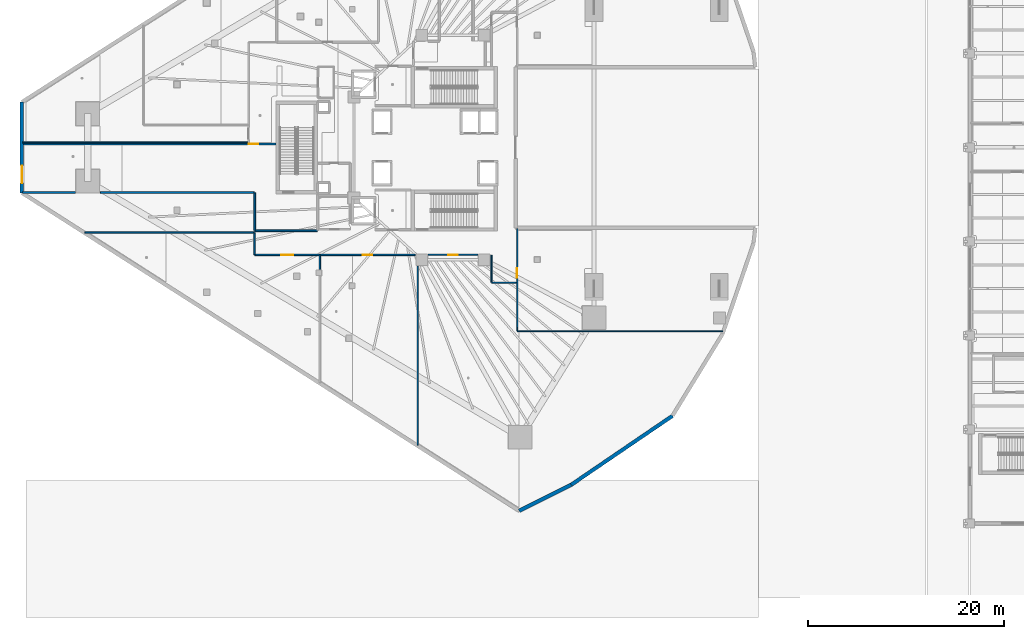
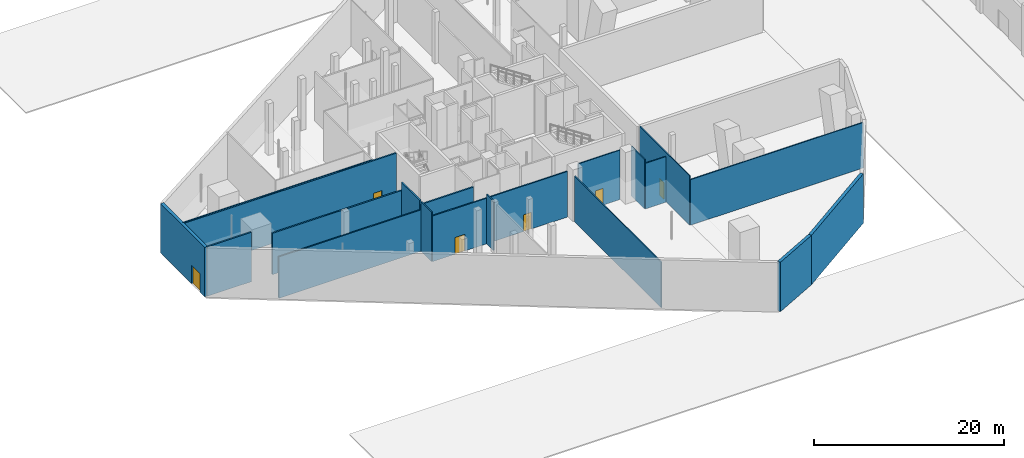
# One storey, part 26 of 45: 20 walls, 6 doors, 6 openings.
"""IFC4 building model written with IfcOpenShell, lengths in metres."""

from ifc_helpers import new_model, si_unit, direction, frame, frame_2d, origin, place, context, subcontext, project, spatial, rectangle, extrude, material, layer, layer_set, type_object, element, fill, save


model = new_model("IFC4")

# Units and contexts
model_context = context("Model", 3, precision=1e-05, world=origin(), true_north=direction((0.0, 1.0)))
body_context = subcontext(model_context, "Body", "Model", "MODEL_VIEW")
ifc_project = project(units=[si_unit("LENGTHUNIT", "METRE"), si_unit("AREAUNIT", "SQUARE_METRE"), si_unit("VOLUMEUNIT", "CUBIC_METRE"), si_unit("PLANEANGLEUNIT", "RADIAN"), si_unit("MASSUNIT", "GRAM", prefix="KILO")], contexts=[model_context])

# Site, building, storey
site_placement = place(None, origin())
site = spatial("IfcSite", under=ifc_project, at=site_placement, CompositionType="ELEMENT")
building_placement = place(site_placement, origin())
building = spatial("IfcBuilding", under=site, at=building_placement, Name="Qorvath Tower", CompositionType="ELEMENT")
storey_placement = place(building_placement, origin())
storey = spatial("IfcBuildingStorey", under=building, at=storey_placement, Name="L00", CompositionType="ELEMENT", Elevation=0.0)

# Wall
ifc_material_1 = material(Name="Gypsum shaftliner on steel studs", Category="steel")
ifc_layer_1 = layer(ifc_material_1, 0.179931640625)
ifc_layer_set_1 = layer_set([ifc_layer_1], Name="FW-LOBBY")
wall_type_1 = type_object("IfcWallType", Name="FW-LOBBY", PredefinedType="PARTITIONING", material=ifc_layer_set_1)
wall_1_placement = place(storey_placement, frame((-40.625, -8.5, 0.0), z_axis=(0.0, 0.0, 1.0), x_axis=(1.0, 0.0, 0.0)))
element("IfcWall", 1, at=wall_1_placement, inside=storey, type_object=wall_type_1, Name="Interior Partition IW-T1-L00-001", PredefinedType="PARTITIONING", context=body_context, shape_type="SweptSolid", body=[
    extrude(rectangle(XDim=6.3798828125, YDim=0.179931640625, at=frame_2d((3.18994140625, 0.0))), origin(), (0.0, 0.0, 1.0), 5.85302734375),
])

# Wall, opening, door
wall_2_placement = place(storey_placement, frame((-38.492919921875, 0.35009765625, 0.0), z_axis=(0.0, 0.0, 1.0), x_axis=(-1.0, 0.0, 0.0)))
wall_2 = element("IfcWall", 2, at=wall_2_placement, inside=storey, type_object=wall_type_1, Name="Interior Partition IW-T1-L00-003", PredefinedType="PARTITIONING", context=body_context, shape_type="SweptSolid", body=[
    extrude(rectangle(XDim=25.84619140625, YDim=0.179931640625, at=frame_2d((12.923095703125, 0.0))), origin(), (0.0, 0.0, 1.0), 6.340087890625),
])
opening_1_placement = place(wall_2_placement, frame((1.774658203125, 0.0, 0.0)))
opening_1 = element("IfcOpeningElement", 3, at=opening_1_placement, cuts=wall_2, Name="Opening D-T1-L00-01", PredefinedType="OPENING", context=body_context, shape_type="SweptSolid", body=[
    extrude(rectangle(XDim=1.0, YDim=2.14990234375, at=frame_2d((0.5, 1.074951171875))), frame((0.0, 0.10009765625, 0.0), z_axis=(0.0, -1.0, 0.0), x_axis=(1.0, 0.0, 0.0)), (0.0, 0.0, 1.0), 0.199951171875),
])
ifc_material_2 = material(Name="Painted galvanised hollow metal", Category="steel")
door_type_1 = type_object("IfcDoorType", Name="FD-90B", OperationType="NOTDEFINED", PredefinedType="DOOR", material=ifc_material_2)
door_1_placement = place(opening_1_placement, origin())
door_1 = element("IfcDoor", 4, at=door_1_placement, inside=storey, type_object=door_type_1, Name="Corridor West Stair Exit Passageway Door D-T1-L00-01", OperationType="SINGLE_SWING_LEFT", OverallHeight=2.14990234375, OverallWidth=1.0, PredefinedType="DOOR", context=body_context, shape_type="SweptSolid", body=[
    extrude(rectangle(XDim=1.0, YDim=2.14990234375, at=frame_2d((0.5, 1.074951171875))), frame((0.0, 0.02490234375, 0.0), z_axis=(0.0, -1.0, 0.0), x_axis=(1.0, 0.0, 0.0)), (0.0, 0.0, 1.0), 0.050048828125),
])
fill(opening_1, door_1)

# Walls
wall_3_placement = place(storey_placement, frame((-64.339111328125, -4.60009765625, 0.0), z_axis=(0.0, 0.0, 1.0), x_axis=(1.0, 0.0, 0.0)))
element("IfcWall", 5, at=wall_3_placement, inside=storey, type_object=wall_type_1, Name="Interior Partition IW-T1-L00-004", PredefinedType="PARTITIONING", context=body_context, shape_type="SweptSolid", body=[
    extrude(rectangle(XDim=5.39404296875, YDim=0.179931640625, at=frame_2d((2.697021484375, 0.0))), origin(), (0.0, 0.0, 1.0), 6.340087890625),
])
wall_4_placement = place(storey_placement, frame((-56.4150390625, -4.60009765625, 0.0), z_axis=(0.0, 0.0, 1.0), x_axis=(1.0, 0.0, 0.0)))
element("IfcWall", 6, at=wall_4_placement, inside=storey, type_object=wall_type_1, Name="Interior Partition IW-T1-L00-005", PredefinedType="PARTITIONING", context=body_context, shape_type="SweptSolid", body=[
    extrude(rectangle(XDim=15.740234375, YDim=0.179931640625, at=frame_2d((7.8701171875, 0.0))), origin(), (0.0, 0.0, 1.0), 5.31005859375),
])
wall_5_placement = place(storey_placement, frame((-40.64990234375, -8.47509765625, 0.0), z_axis=(0.0, 0.0, 1.0), x_axis=(0.0, 1.0, 0.0)))
element("IfcWall", 7, at=wall_5_placement, inside=storey, type_object=wall_type_1, Name="Interior Partition IW-T1-L00-006", PredefinedType="PARTITIONING", context=body_context, shape_type="SweptSolid", body=[
    extrude(rectangle(XDim=3.85009765625, YDim=0.179931640625, at=frame_2d((1.925048828125, 0.0))), origin(), (0.0, 0.0, 1.0), 6.340087890625),
])

# Wall, opening, door
ifc_material_3 = material(Name="Double acoustic gypsum board on steel studs", Category="steel")
ifc_layer_2 = layer(ifc_material_3, 0.159912109375)
ifc_layer_set_2 = layer_set([ifc_layer_2], Name="IW-ACOUSTIC-160")
wall_type_2 = type_object("IfcWallType", Name="IW-ACOUSTIC-160", PredefinedType="PARTITIONING", material=ifc_layer_set_2)
wall_6_placement = place(storey_placement, frame((-34.02490234375, -10.9580078125, 0.0), z_axis=(0.0, 0.0, 1.0), x_axis=(-1.0, 0.0, 0.0)))
wall_6 = element("IfcWall", 8, at=wall_6_placement, inside=storey, type_object=wall_type_2, Name="Interior Partition IW-T1-L00-025", PredefinedType="PARTITIONING", context=body_context, shape_type="SweptSolid", body=[
    extrude(rectangle(XDim=6.608154296875, YDim=0.159912109375, at=frame_2d((3.30419921875, 0.0))), origin(), (0.0, 0.0, 1.0), 5.85302734375),
])
opening_2_placement = place(wall_6_placement, frame((2.7041015625, 0.0, 0.0)))
opening_2 = element("IfcOpeningElement", 9, at=opening_2_placement, cuts=wall_6, Name="Opening D-T1-L00-04", PredefinedType="OPENING", context=body_context, shape_type="SweptSolid", body=[
    extrude(rectangle(XDim=1.199951171875, YDim=2.14990234375, at=frame_2d((0.60009765625, 1.074951171875))), frame((0.0, 0.08984375, 0.0), z_axis=(0.0, -1.0, 0.0), x_axis=(1.0, 0.0, 0.0)), (0.0, 0.0, 1.0), 0.179931640625),
])
ifc_material_4 = material(Name="Painted hollow steel utility leaf", Category="steel")
door_type_2 = type_object("IfcDoorType", Name="D-05", OperationType="NOTDEFINED", PredefinedType="DOOR", material=ifc_material_4)
door_2_placement = place(opening_2_placement, origin())
door_2 = element("IfcDoor", 10, at=door_2_placement, inside=storey, type_object=door_type_2, Name="Store Loading and Refuse Bay Door D-T1-L00-04", OperationType="SINGLE_SWING_RIGHT", OverallHeight=2.14990234375, OverallWidth=1.199951171875, PredefinedType="DOOR", context=body_context, shape_type="SweptSolid", body=[
    extrude(rectangle(XDim=1.199951171875, YDim=2.14990234375, at=frame_2d((0.60009765625, 1.074951171875))), frame((0.0, 0.02490234375, 0.0), z_axis=(0.0, -1.0, 0.0), x_axis=(1.0, 0.0, 0.0)), (0.0, 0.0, 1.0), 0.050048828125),
])
fill(opening_2, door_2)

# Walls
wall_7_placement = place(storey_placement, frame((-40.657958984375, -10.93310546875, 0.0), z_axis=(0.0, 0.0, 1.0), x_axis=(0.0, 1.0, 0.0)))
element("IfcWall", 11, at=wall_7_placement, inside=storey, type_object=wall_type_2, Name="Interior Partition IW-T1-L00-026", PredefinedType="PARTITIONING", context=body_context, shape_type="SweptSolid", body=[
    extrude(rectangle(XDim=2.2080078125, YDim=0.159912109375, at=frame_2d((1.10400390625, 0.0))), origin(), (0.0, 0.0, 1.0), 6.340087890625),
])
wall_8_placement = place(storey_placement, frame((-40.68310546875, -8.699951171875, 0.0), z_axis=(0.0, 0.0, 1.0), x_axis=(-1.0, 0.0, 0.0)))
element("IfcWall", 12, at=wall_8_placement, inside=storey, type_object=wall_type_2, Name="Interior Partition IW-T1-L00-027", PredefinedType="PARTITIONING", context=body_context, shape_type="SweptSolid", body=[
    extrude(rectangle(XDim=17.298828125, YDim=0.159912109375, at=frame_2d((8.6494140625, 0.0))), origin(), (0.0, 0.0, 1.0), 5.31005859375),
])
wall_9_placement = place(storey_placement, frame((-34.0, -12.452392578125, 0.0), z_axis=(0.0, 0.0, 1.0), x_axis=(0.0, 1.0, 0.0)))
element("IfcWall", 13, at=wall_9_placement, inside=storey, type_object=wall_type_2, Name="Interior Partition IW-T1-L00-029", PredefinedType="PARTITIONING", context=body_context, shape_type="SweptSolid", body=[
    extrude(rectangle(XDim=1.469482421875, YDim=0.159912109375, at=frame_2d((0.73486328125, 0.0))), origin(), (0.0, 0.0, 1.0), 6.340087890625),
])

# Wall, opening, door
wall_10_placement = place(storey_placement, frame((-24.264892578125, -10.9580078125, 0.0), z_axis=(0.0, 0.0, 1.0), x_axis=(-1.0, 0.0, 0.0)))
wall_10 = element("IfcWall", 14, at=wall_10_placement, inside=storey, type_object=wall_type_2, Name="Interior Partition IW-T1-L00-056", PredefinedType="PARTITIONING", context=body_context, shape_type="SweptSolid", body=[
    extrude(rectangle(XDim=9.701904296875, YDim=0.159912109375, at=frame_2d((4.85107421875, 0.0))), origin(), (0.0, 0.0, 1.0), 5.85302734375),
])
opening_3_placement = place(wall_10_placement, frame((4.3759765625, 0.0, 0.0)))
opening_3 = element("IfcOpeningElement", 15, at=opening_3_placement, cuts=wall_10, Name="Opening D-T1-L00-13", PredefinedType="OPENING", context=body_context, shape_type="SweptSolid", body=[
    extrude(rectangle(XDim=0.949951171875, YDim=2.14990234375, at=frame_2d((0.47509765625, 1.074951171875))), frame((0.0, 0.08984375, 0.0), z_axis=(0.0, -1.0, 0.0), x_axis=(1.0, 0.0, 0.0)), (0.0, 0.0, 1.0), 0.179931640625),
])
ifc_material_5 = material(Name="Solid-core American white oak veneer", Category="wood")
door_type_3 = type_object("IfcDoorType", Name="D-01", OperationType="NOTDEFINED", PredefinedType="DOOR", material=ifc_material_5)
door_3_placement = place(opening_3_placement, origin())
door_3 = element("IfcDoor", 16, at=door_3_placement, inside=storey, type_object=door_type_3, Name="South Arch Civic Exhibition Gallery Door D-T1-L00-13", OperationType="SINGLE_SWING_LEFT", OverallHeight=2.14990234375, OverallWidth=0.949951171875, PredefinedType="DOOR", context=body_context, shape_type="SweptSolid", body=[
    extrude(rectangle(XDim=0.949951171875, YDim=2.14990234375, at=frame_2d((0.47509765625, 1.074951171875))), frame((0.0, 0.02490234375, 0.0), z_axis=(0.0, -1.0, 0.0), x_axis=(1.0, 0.0, 0.0)), (0.0, 0.0, 1.0), 0.050048828125),
])
fill(opening_3, door_3)

ifc_material_6 = material(Name="Gypsum board on metal studs with mineral wool", Category="gypsum")
ifc_layer_3 = layer(ifc_material_6, 0.125)
ifc_layer_set_3 = layer_set([ifc_layer_3], Name="IW-PART-125")
wall_type_3 = type_object("IfcWallType", Name="IW-PART-125", PredefinedType="PARTITIONING", material=ifc_layer_set_3)
wall_11_placement = place(storey_placement, frame((-13.841796875, -8.280029296875, 0.0), z_axis=(0.0, 0.0, 1.0), x_axis=(-0.000794707928, -0.99999968422, 0.0)))
wall_11 = element("IfcWall", 17, at=wall_11_placement, inside=storey, type_object=wall_type_3, Name="Interior Partition IW-T1-L00-043", PredefinedType="PARTITIONING", context=body_context, shape_type="SweptSolid", body=[
    extrude(rectangle(XDim=10.445068359375, YDim=0.125, at=frame_2d((5.22265625, 0.0))), origin(), (0.0, 0.0, 1.0), 6.340087890625),
])
opening_4_placement = place(wall_11_placement, frame((4.0693359375, 0.0, 0.0)))
opening_4 = element("IfcOpeningElement", 18, at=opening_4_placement, cuts=wall_11, Name="Opening D-T1-L00-09", PredefinedType="OPENING", context=body_context, shape_type="SweptSolid", body=[
    extrude(rectangle(XDim=0.949951171875, YDim=2.14990234375, at=frame_2d((0.47509765625, 1.074951171875))), frame((0.0, 0.072509765625, 0.0), z_axis=(0.0, -1.0, 0.0), x_axis=(1.0, 0.0, 0.0)), (0.0, 0.0, 1.0), 0.14501953125),
])
door_4_placement = place(opening_4_placement, origin())
door_4 = element("IfcDoor", 19, at=door_4_placement, inside=storey, type_object=door_type_3, Name="Back of House Catering Kitchen Door D-T1-L00-09", OperationType="SINGLE_SWING_LEFT", OverallHeight=2.14990234375, OverallWidth=0.949951171875, PredefinedType="DOOR", context=body_context, shape_type="SweptSolid", body=[
    extrude(rectangle(XDim=0.949951171875, YDim=2.14990234375, at=frame_2d((0.47509765625, 1.074951171875))), frame((0.0, 0.02490234375, 0.0), z_axis=(0.0, -1.0, 0.0), x_axis=(1.0, 0.0, 0.0)), (0.0, 0.0, 1.0), 0.050048828125),
])
fill(opening_4, door_4)

# Walls
wall_12_placement = place(storey_placement, frame((-13.8251953125, -18.75, 0.0), z_axis=(0.0, 0.0, 1.0), x_axis=(1.0, 0.0, 0.0)))
element("IfcWall", 20, at=wall_12_placement, inside=storey, type_object=wall_type_3, Name="Interior Partition IW-T1-L00-044", PredefinedType="PARTITIONING", context=body_context, shape_type="SweptSolid", body=[
    extrude(rectangle(XDim=20.97998046875, YDim=0.125, at=frame_2d((10.489990234375, 0.0))), origin(), (0.0, 0.0, 1.0), 5.85302734375),
])
wall_13_placement = place(storey_placement, frame((-13.956298828125, -13.80810546875, 0.0), z_axis=(0.0, 0.0, 1.0), x_axis=(-1.0, 0.0, 0.0)))
element("IfcWall", 21, at=wall_13_placement, inside=storey, type_object=wall_type_3, Name="Interior Partition IW-T1-L00-045", PredefinedType="PARTITIONING", context=body_context, shape_type="SweptSolid", body=[
    extrude(rectangle(XDim=2.476806640625, YDim=0.125, at=frame_2d((1.23828125, 0.0))), origin(), (0.0, 0.0, 1.0), 5.85302734375),
])
wall_14_placement = place(storey_placement, frame((-16.4580078125, -10.98291015625, 0.0), z_axis=(0.0, 0.0, 1.0), x_axis=(0.0, -1.0, 0.0)))
element("IfcWall", 22, at=wall_14_placement, inside=storey, type_object=wall_type_3, Name="Interior Partition IW-T1-L00-046", PredefinedType="PARTITIONING", context=body_context, shape_type="SweptSolid", body=[
    extrude(rectangle(XDim=2.80029296875, YDim=0.125, at=frame_2d((1.400146484375, 0.0))), origin(), (0.0, 0.0, 1.0), 6.340087890625),
])

# Wall, opening, door
wall_15_placement = place(storey_placement, frame((-17.864990234375, -10.9580078125, 0.0), z_axis=(0.0, 0.0, 1.0), x_axis=(-1.0, 0.0, 0.0)))
wall_15 = element("IfcWall", 23, at=wall_15_placement, inside=storey, type_object=wall_type_3, Name="Interior Partition IW-T1-L00-047", PredefinedType="PARTITIONING", context=body_context, shape_type="SweptSolid", body=[
    extrude(rectangle(XDim=5.070068359375, YDim=0.125, at=frame_2d((2.53515625, 0.0))), origin(), (0.0, 0.0, 1.0), 6.340087890625),
])
opening_5_placement = place(wall_15_placement, frame((2.06005859375, 0.0, 0.0)))
opening_5 = element("IfcOpeningElement", 24, at=opening_5_placement, cuts=wall_15, Name="Opening D-T1-L00-10", PredefinedType="OPENING", context=body_context, shape_type="SweptSolid", body=[
    extrude(rectangle(XDim=0.949951171875, YDim=2.14990234375, at=frame_2d((0.47509765625, 1.074951171875))), frame((0.0, 0.072509765625, 0.0), z_axis=(0.0, -1.0, 0.0), x_axis=(1.0, 0.0, 0.0)), (0.0, 0.0, 1.0), 0.14501953125),
])
door_5_placement = place(opening_5_placement, origin())
door_5 = element("IfcDoor", 25, at=door_5_placement, inside=storey, type_object=door_type_3, Name="Plaza Espresso and Bakery Dining Hall Door D-T1-L00-10", OperationType="SINGLE_SWING_RIGHT", OverallHeight=2.14990234375, OverallWidth=0.949951171875, PredefinedType="DOOR", context=body_context, shape_type="SweptSolid", body=[
    extrude(rectangle(XDim=0.949951171875, YDim=2.14990234375, at=frame_2d((0.47509765625, 1.074951171875))), frame((0.0, 0.02490234375, 0.0), z_axis=(0.0, -1.0, 0.0), x_axis=(1.0, 0.0, 0.0)), (0.0, 0.0, 1.0), 0.050048828125),
])
fill(opening_5, door_5)

# Walls
wall_16_placement = place(storey_placement, frame((-24.0, -12.114990234375, 0.0), z_axis=(0.0, 0.0, 1.0), x_axis=(0.0, -1.0, 0.0)))
element("IfcWall", 26, at=wall_16_placement, inside=storey, type_object=wall_type_3, Name="Interior Partition IW-T1-L00-048", PredefinedType="PARTITIONING", context=body_context, shape_type="SweptSolid", body=[
    extrude(rectangle(XDim=18.27490234375, YDim=0.125, at=frame_2d((9.137451171875, 0.0))), origin(), (0.0, 0.0, 1.0), 5.85302734375),
])
wall_17_placement = place(storey_placement, frame((-64.339111328125, 0.5, 0.0), z_axis=(0.0, 0.0, 1.0), x_axis=(1.0, 0.0, 0.0)))
element("IfcWall", 27, at=wall_17_placement, inside=storey, type_object=wall_type_3, Name="Interior Partition IW-T1-L00-055", PredefinedType="PARTITIONING", context=body_context, shape_type="SweptSolid", body=[
    extrude(rectangle(XDim=23.055908203125, YDim=0.125, at=frame_2d((11.52783203125, 0.0))), origin(), (0.0, 0.0, 1.0), 6.340087890625),
])

# Wall, opening, door
ifc_material_7 = material(Name="Precast concrete C50/60", Category="concrete")
ifc_layer_4 = layer(ifc_material_7, 0.3798828125)
ifc_layer_set_4 = layer_set([ifc_layer_4], Name="WL-EW-POD-380")
wall_type_4 = type_object("IfcWallType", Name="WL-EW-POD-380", PredefinedType="SOLIDWALL", material=ifc_layer_set_4)
wall_18_placement = place(storey_placement, frame((-64.419189453125, -4.63671875, 0.0), z_axis=(0.0, 0.0, 1.0), x_axis=(0.0, 1.0, 0.0)))
wall_18 = element("IfcWall", 28, at=wall_18_placement, inside=storey, type_object=wall_type_4, Name="Tower Podium Precast Facade Wall L00-10.1", PredefinedType="SOLIDWALL", context=body_context, shape_type="SweptSolid", body=[
    extrude(rectangle(XDim=9.2734375, YDim=0.3798828125, at=frame_2d((4.63671875, 0.0))), origin(), (0.0, 0.0, 1.0), 6.340087890625),
])
opening_6_placement = place(wall_18_placement, frame((0.98681640625, 0.0, 0.0)))
opening_6 = element("IfcOpeningElement", 29, at=opening_6_placement, cuts=wall_18, Name="Opening ED-TS3-01", PredefinedType="OPENING", context=body_context, shape_type="SweptSolid", body=[
    extrude(rectangle(XDim=1.800048828125, YDim=2.35009765625, at=frame_2d((0.89990234375, 1.175048828125))), frame((0.0, 0.199951171875, 0.0), z_axis=(0.0, -1.0, 0.0), x_axis=(1.0, 0.0, 0.0)), (0.0, 0.0, 1.0), 0.39990234375),
])
ifc_material_8 = material(Name="Anodised aluminium and tempered glass", Category="aluminium")
door_type_4 = type_object("IfcDoorType", Name="ED-01", OperationType="NOTDEFINED", PredefinedType="DOOR", material=ifc_material_8)
door_6_placement = place(opening_6_placement, origin())
door_6 = element("IfcDoor", 30, at=door_6_placement, inside=storey, type_object=door_type_4, Name="West Stair TS3 Exterior Discharge Door", OperationType="SINGLE_SWING_RIGHT", OverallHeight=2.35009765625, OverallWidth=1.800048828125, PredefinedType="DOOR", context=body_context, shape_type="SweptSolid", body=[
    extrude(rectangle(XDim=1.800048828125, YDim=2.35009765625, at=frame_2d((0.89990234375, 1.175048828125))), frame((0.0, 0.02490234375, 0.0), z_axis=(0.0, -1.0, 0.0), x_axis=(1.0, 0.0, 0.0)), (0.0, 0.0, 1.0), 0.050048828125),
])
fill(opening_6, door_6)

# Walls
wall_19_placement = place(storey_placement, frame((-8.3359375, -34.44482421875, 0.0), z_axis=(0.0, 0.0, 1.0), x_axis=(-0.894427191, -0.4472135955, 0.0)))
element("IfcWall", 31, at=wall_19_placement, inside=storey, type_object=wall_type_4, Name="Tower Podium Precast Facade Wall L00-12.1", PredefinedType="SOLIDWALL", context=body_context, shape_type="SweptSolid", body=[
    extrude(rectangle(XDim=5.9248046875, YDim=0.3798828125, at=frame_2d((2.96240234375, 0.0))), origin(), (0.0, 0.0, 1.0), 6.340087890625),
])
wall_20_placement = place(storey_placement, frame((2.0205078125, -27.39501953125, 0.0), z_axis=(0.0, 0.0, 1.0), x_axis=(-0.826650936963, -0.562715050819, 0.0)))
element("IfcWall", 32, at=wall_20_placement, inside=storey, type_object=wall_type_4, Name="Tower Podium Precast Facade Wall L00-13.1", PredefinedType="SOLIDWALL", context=body_context, shape_type="SweptSolid", body=[
    extrude(rectangle(XDim=12.528076171875, YDim=0.3798828125, at=frame_2d((6.26416015625, 0.0))), origin(), (0.0, 0.0, 1.0), 6.340087890625),
])

save(model, "model.ifc")
